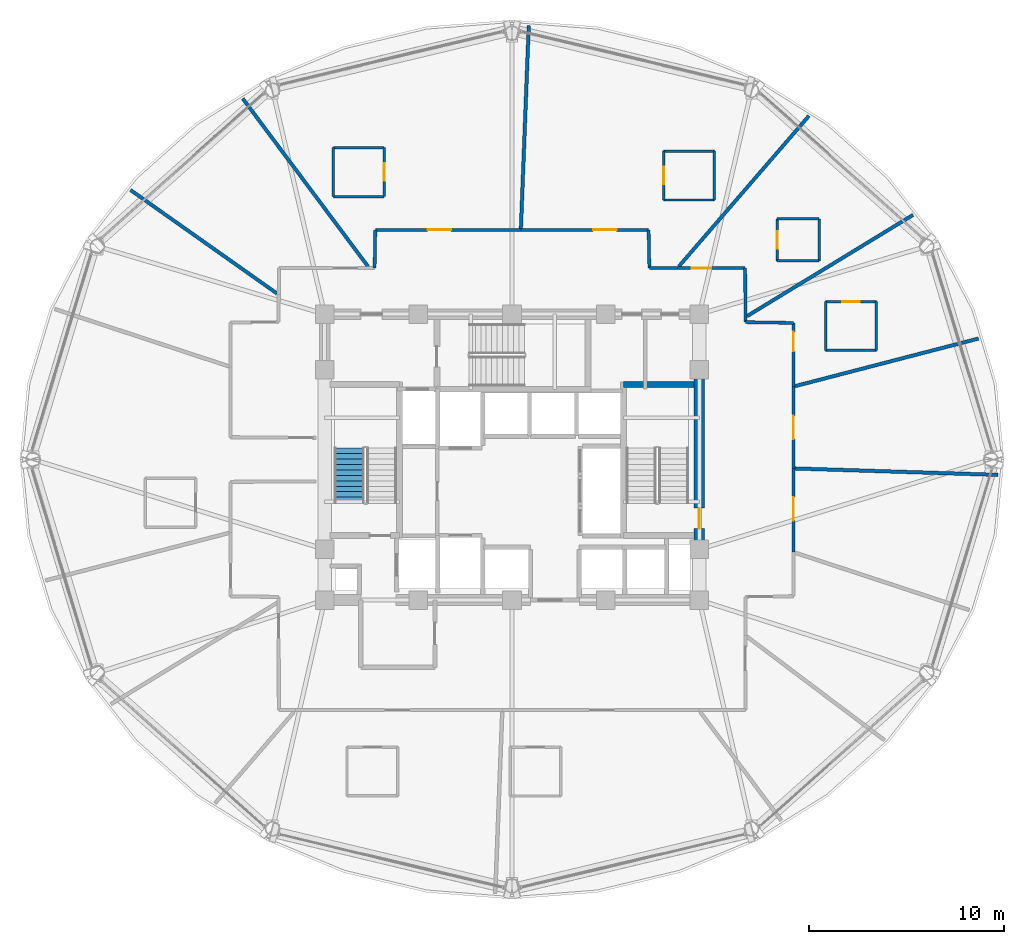
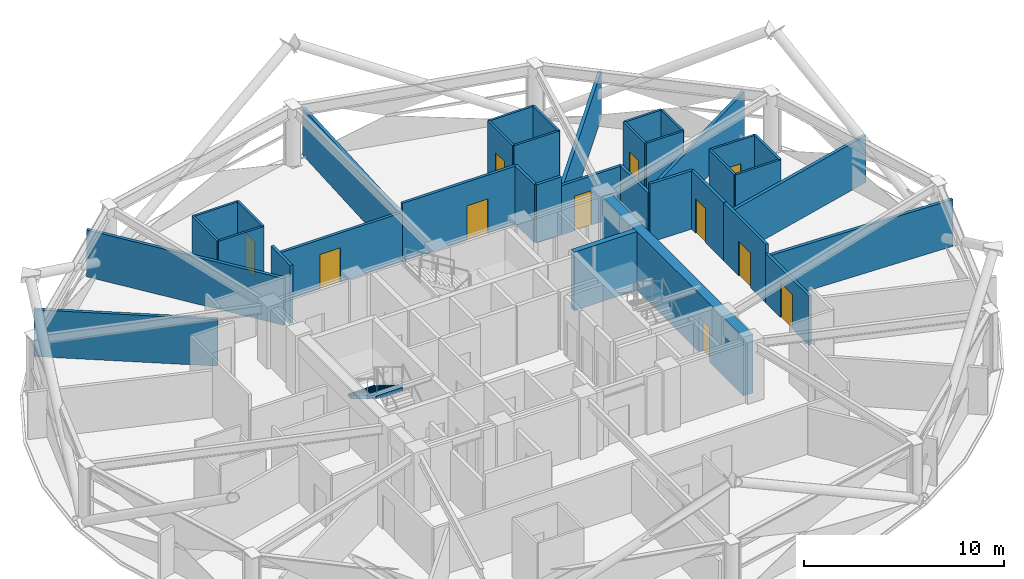
# One storey, part 24 of 29: 36 walls, 11 doors, 1 stair flight, 11 openings, 1 element without a shape of its own.
"""IFC4 building model written with IfcOpenShell, lengths in metres."""

from ifc_helpers import new_model, si_unit, direction, frame, frame_2d, origin, place, context, subcontext, project, spatial, polyline, rectangle, outline, extrude, material, layer, layer_set, type_object, element, fill, aggregate, save


model = new_model("IFC4")

# Units and contexts
model_context = context("Model", 3, precision=1e-05, world=origin(), true_north=direction((0.0, 1.0)))
body_context = subcontext(model_context, "Body", "Model", "MODEL_VIEW")
ifc_project = project(units=[si_unit("LENGTHUNIT", "METRE"), si_unit("AREAUNIT", "SQUARE_METRE"), si_unit("VOLUMEUNIT", "CUBIC_METRE"), si_unit("PLANEANGLEUNIT", "RADIAN"), si_unit("MASSUNIT", "GRAM", prefix="KILO")], contexts=[model_context])

# Site, building, storey
site_placement = place(None, origin())
site = spatial("IfcSite", under=ifc_project, at=site_placement, CompositionType="ELEMENT")
building_placement = place(site_placement, origin())
building = spatial("IfcBuilding", under=site, at=building_placement, Name="Vantalir Tower", CompositionType="ELEMENT")
storey_placement = place(building_placement, frame((0.0, 0.0, 164.699951171875)))
storey = spatial("IfcBuildingStorey", under=building, at=storey_placement, Name="L41", CompositionType="ELEMENT", Elevation=164.699951171875)

# Wall
ifc_material_1 = material(Name="Moisture-resistant en-suite partition", Category="gypsum")
ifc_layer_1 = layer(ifc_material_1, 0.125)
ifc_layer_set_1 = layer_set([ifc_layer_1], Name="Moisture-resistant en-suite partition")
wall_type_1 = type_object("IfcWallType", Name="WL-BATH-125", PredefinedType="PARTITIONING", material=ifc_layer_set_1)
wall_1_placement = place(storey_placement, frame((47.572998046875, 30.595947265625, 0.0), z_axis=(0.0, 0.0, 1.0), x_axis=(1.0, 0.0, 0.0)))
element("IfcWall", 1, at=wall_1_placement, inside=storey, type_object=wall_type_1, Name="L41 En-suite 01 South Wall", PredefinedType="PARTITIONING", context=body_context, shape_type="SweptSolid", body=[
    extrude(rectangle(XDim=2.60009765625, YDim=0.125, at=frame_2d((1.300048828125, 0.0))), origin(), (0.0, 0.0, 1.0), 3.550048828125),
])

# Wall, opening, door
wall_2_placement = place(storey_placement, frame((47.572998046875, 33.095947265625, 0.0), z_axis=(0.0, 0.0, 1.0), x_axis=(1.0, 0.0, 0.0)))
wall_2 = element("IfcWall", 2, at=wall_2_placement, inside=storey, type_object=wall_type_1, Name="L41 En-suite 01 North Wall", PredefinedType="PARTITIONING", context=body_context, shape_type="SweptSolid", body=[
    extrude(rectangle(XDim=2.60009765625, YDim=0.125, at=frame_2d((1.300048828125, 0.0))), origin(), (0.0, 0.0, 1.0), 3.550048828125),
])
opening_1_placement = place(wall_2_placement, frame((0.85009765625, 0.0, 0.0)))
opening_1 = element("IfcOpeningElement", 3, at=opening_1_placement, cuts=wall_2, Name="Opening D-WC", PredefinedType="OPENING", context=body_context, shape_type="SweptSolid", body=[
    extrude(rectangle(XDim=0.89990234375, YDim=2.10009765625, at=frame_2d((0.449951171875, 1.050048828125))), frame((0.0, 0.072509765625, 0.0), z_axis=(0.0, -1.0, 0.0), x_axis=(1.0, 0.0, 0.0)), (0.0, 0.0, 1.0), 0.14501953125),
])
ifc_material_2 = material(Name="Moisture-resistant hardwood door", Category="wood")
door_type_1 = type_object("IfcDoorType", Name="DR-ENSUITE-900", OperationType="NOTDEFINED", PredefinedType="DOOR", material=ifc_material_2)
door_1_placement = place(opening_1_placement, frame((0.89990234375, 0.0, 0.0), z_axis=(0.0, 0.0, 1.0), x_axis=(-1.0, 0.0, 0.0)))
door_1 = element("IfcDoor", 4, at=door_1_placement, inside=storey, type_object=door_type_1, Name="L41 En-suite 01 Door", OperationType="SINGLE_SWING_LEFT", OverallHeight=2.10009765625, OverallWidth=0.89990234375, PredefinedType="DOOR", context=body_context, shape_type="SweptSolid", body=[
    extrude(rectangle(XDim=0.89990234375, YDim=2.10009765625, at=frame_2d((0.449951171875, 1.050048828125))), frame((0.0, 0.02490234375, 0.0), z_axis=(0.0, -1.0, 0.0), x_axis=(1.0, 0.0, 0.0)), (0.0, 0.0, 1.0), 0.050048828125),
])
fill(opening_1, door_1)

# Walls
for number, where, z_axis, x_axis, name in (
    (5, (47.572998046875, 30.595947265625, 0.0), (0.0, 0.0, 1.0), (0.0, 1.0, 0.0), "L41 En-suite 01 West Wall"),
    (6, (50.173095703125, 30.595947265625, 0.0), (0.0, 0.0, 1.0), (0.0, 1.0, 0.0), "L41 En-suite 01 East Wall"),
):
    element("IfcWall", number, at=place(storey_placement, frame(where, z_axis=z_axis, x_axis=x_axis)), inside=storey, type_object=wall_type_1, Name=name, PredefinedType="PARTITIONING", context=body_context, shape_type="SweptSolid", body=[
        extrude(rectangle(XDim=2.5, YDim=0.125, at=frame_2d((1.25, 0.0))), origin(), (0.0, 0.0, 1.0), 3.550048828125),
    ])
for number, where, z_axis, x_axis, name in (
    (7, (45.0830078125, 35.18310546875, 0.0), (0.0, 0.0, 1.0), (1.0, 0.0, 0.0), "L41 En-suite 02 South Wall"),
    (8, (45.0830078125, 37.3330078125, 0.0), (0.0, 0.0, 1.0), (1.0, 0.0, 0.0), "L41 En-suite 02 North Wall"),
):
    element("IfcWall", number, at=place(storey_placement, frame(where, z_axis=z_axis, x_axis=x_axis)), inside=storey, type_object=wall_type_1, Name=name, PredefinedType="PARTITIONING", context=body_context, shape_type="SweptSolid", body=[
        extrude(rectangle(XDim=2.14990234375, YDim=0.125, at=frame_2d((1.074951171875, 0.0))), origin(), (0.0, 0.0, 1.0), 3.550048828125),
    ])

# Wall, opening, door
wall_3_placement = place(storey_placement, frame((45.0830078125, 35.18310546875, 0.0), z_axis=(0.0, 0.0, 1.0), x_axis=(0.0, 1.0, 0.0)))
wall_3 = element("IfcWall", 9, at=wall_3_placement, inside=storey, type_object=wall_type_1, Name="L41 En-suite 02 West Wall", PredefinedType="PARTITIONING", context=body_context, shape_type="SweptSolid", body=[
    extrude(rectangle(XDim=2.14990234375, YDim=0.125, at=frame_2d((1.074951171875, 0.0))), origin(), (0.0, 0.0, 1.0), 3.550048828125),
])
opening_2_placement = place(wall_3_placement, frame((0.625, 0.0, 0.0)))
opening_2 = element("IfcOpeningElement", 10, at=opening_2_placement, cuts=wall_3, Name="Opening D-WC", PredefinedType="OPENING", context=body_context, shape_type="SweptSolid", body=[
    extrude(rectangle(XDim=0.89990234375, YDim=2.10009765625, at=frame_2d((0.449951171875, 1.050048828125))), frame((0.0, 0.072509765625, 0.0), z_axis=(0.0, -1.0, 0.0), x_axis=(1.0, 0.0, 0.0)), (0.0, 0.0, 1.0), 0.14501953125),
])
door_2_placement = place(opening_2_placement, frame((0.89990234375, 0.0, 0.0), z_axis=(0.0, 0.0, 1.0), x_axis=(-1.0, 0.0, 0.0)))
door_2 = element("IfcDoor", 11, at=door_2_placement, inside=storey, type_object=door_type_1, Name="L41 En-suite 02 Door", OperationType="SINGLE_SWING_RIGHT", OverallHeight=2.10009765625, OverallWidth=0.89990234375, PredefinedType="DOOR", context=body_context, shape_type="SweptSolid", body=[
    extrude(rectangle(XDim=0.89990234375, YDim=2.10009765625, at=frame_2d((0.449951171875, 1.050048828125))), frame((0.0, 0.02490234375, 0.0), z_axis=(0.0, -1.0, 0.0), x_axis=(1.0, 0.0, 0.0)), (0.0, 0.0, 1.0), 0.050048828125),
])
fill(opening_2, door_2)

# Walls
wall_4_placement = place(storey_placement, frame((47.23291015625, 35.18310546875, 0.0), z_axis=(0.0, 0.0, 1.0), x_axis=(0.0, 1.0, 0.0)))
element("IfcWall", 12, at=wall_4_placement, inside=storey, type_object=wall_type_1, Name="L41 En-suite 02 East Wall", PredefinedType="PARTITIONING", context=body_context, shape_type="SweptSolid", body=[
    extrude(rectangle(XDim=2.14990234375, YDim=0.125, at=frame_2d((1.074951171875, 0.0))), origin(), (0.0, 0.0, 1.0), 3.550048828125),
])
for number, where, z_axis, x_axis, name in (
    (13, (39.27001953125, 38.298095703125, 0.0), (0.0, 0.0, 1.0), (1.0, 0.0, 0.0), "L41 En-suite 03 South Wall"),
    (14, (39.27001953125, 40.798095703125, 0.0), (0.0, 0.0, 1.0), (1.0, 0.0, 0.0), "L41 En-suite 03 North Wall"),
):
    element("IfcWall", number, at=place(storey_placement, frame(where, z_axis=z_axis, x_axis=x_axis)), inside=storey, type_object=wall_type_1, Name=name, PredefinedType="PARTITIONING", context=body_context, shape_type="SweptSolid", body=[
        extrude(rectangle(XDim=2.60009765625, YDim=0.125, at=frame_2d((1.300048828125, 0.0))), origin(), (0.0, 0.0, 1.0), 3.550048828125),
    ])

# Wall, opening, door
wall_5_placement = place(storey_placement, frame((39.27001953125, 38.298095703125, 0.0), z_axis=(0.0, 0.0, 1.0), x_axis=(0.0, 1.0, 0.0)))
wall_5 = element("IfcWall", 15, at=wall_5_placement, inside=storey, type_object=wall_type_1, Name="L41 En-suite 03 West Wall", PredefinedType="PARTITIONING", context=body_context, shape_type="SweptSolid", body=[
    extrude(rectangle(XDim=2.5, YDim=0.125, at=frame_2d((1.25, 0.0))), origin(), (0.0, 0.0, 1.0), 3.550048828125),
])
opening_3_placement = place(wall_5_placement, frame((0.800048828125, 0.0, 0.0)))
opening_3 = element("IfcOpeningElement", 16, at=opening_3_placement, cuts=wall_5, Name="Opening D-WC", PredefinedType="OPENING", context=body_context, shape_type="SweptSolid", body=[
    extrude(rectangle(XDim=0.89990234375, YDim=2.10009765625, at=frame_2d((0.449951171875, 1.050048828125))), frame((0.0, 0.072509765625, 0.0), z_axis=(0.0, -1.0, 0.0), x_axis=(1.0, 0.0, 0.0)), (0.0, 0.0, 1.0), 0.14501953125),
])
door_3_placement = place(opening_3_placement, frame((0.89990234375, 0.0, 0.0), z_axis=(0.0, 0.0, 1.0), x_axis=(-1.0, 0.0, 0.0)))
door_3 = element("IfcDoor", 17, at=door_3_placement, inside=storey, type_object=door_type_1, Name="L41 En-suite 03 Door", OperationType="SINGLE_SWING_LEFT", OverallHeight=2.10009765625, OverallWidth=0.89990234375, PredefinedType="DOOR", context=body_context, shape_type="SweptSolid", body=[
    extrude(rectangle(XDim=0.89990234375, YDim=2.10009765625, at=frame_2d((0.449951171875, 1.050048828125))), frame((0.0, 0.02490234375, 0.0), z_axis=(0.0, -1.0, 0.0), x_axis=(1.0, 0.0, 0.0)), (0.0, 0.0, 1.0), 0.050048828125),
])
fill(opening_3, door_3)

# Walls
wall_6_placement = place(storey_placement, frame((41.8701171875, 38.298095703125, 0.0), z_axis=(0.0, 0.0, 1.0), x_axis=(0.0, 1.0, 0.0)))
element("IfcWall", 18, at=wall_6_placement, inside=storey, type_object=wall_type_1, Name="L41 En-suite 03 East Wall", PredefinedType="PARTITIONING", context=body_context, shape_type="SweptSolid", body=[
    extrude(rectangle(XDim=2.5, YDim=0.125, at=frame_2d((1.25, 0.0))), origin(), (0.0, 0.0, 1.0), 3.550048828125),
])
for number, where, z_axis, x_axis, name in (
    (19, (22.34912109375, 38.47705078125, 0.0), (0.0, 0.0, 1.0), (1.0, 0.0, 0.0), "L41 En-suite 04 South Wall"),
    (20, (22.34912109375, 40.97705078125, 0.0), (0.0, 0.0, 1.0), (1.0, 0.0, 0.0), "L41 En-suite 04 North Wall"),
):
    element("IfcWall", number, at=place(storey_placement, frame(where, z_axis=z_axis, x_axis=x_axis)), inside=storey, type_object=wall_type_1, Name=name, PredefinedType="PARTITIONING", context=body_context, shape_type="SweptSolid", body=[
        extrude(rectangle(XDim=2.599853515625, YDim=0.125, at=frame_2d((1.2998046875, 0.0))), origin(), (0.0, 0.0, 1.0), 3.550048828125),
    ])
wall_7_placement = place(storey_placement, frame((22.34912109375, 38.47705078125, 0.0), z_axis=(0.0, 0.0, 1.0), x_axis=(0.0, 1.0, 0.0)))
element("IfcWall", 21, at=wall_7_placement, inside=storey, type_object=wall_type_1, Name="L41 En-suite 04 West Wall", PredefinedType="PARTITIONING", context=body_context, shape_type="SweptSolid", body=[
    extrude(rectangle(XDim=2.5, YDim=0.125, at=frame_2d((1.25, 0.0))), origin(), (0.0, 0.0, 1.0), 3.550048828125),
])

# Wall, opening, door
wall_8_placement = place(storey_placement, frame((24.948974609375, 38.47705078125, 0.0), z_axis=(0.0, 0.0, 1.0), x_axis=(0.0, 1.0, 0.0)))
wall_8 = element("IfcWall", 22, at=wall_8_placement, inside=storey, type_object=wall_type_1, Name="L41 En-suite 04 East Wall", PredefinedType="PARTITIONING", context=body_context, shape_type="SweptSolid", body=[
    extrude(rectangle(XDim=2.5, YDim=0.125, at=frame_2d((1.25, 0.0))), origin(), (0.0, 0.0, 1.0), 3.550048828125),
])
opening_4_placement = place(wall_8_placement, frame((0.800048828125, 0.0, 0.0)))
opening_4 = element("IfcOpeningElement", 23, at=opening_4_placement, cuts=wall_8, Name="Opening D-WC", PredefinedType="OPENING", context=body_context, shape_type="SweptSolid", body=[
    extrude(rectangle(XDim=0.89990234375, YDim=2.10009765625, at=frame_2d((0.449951171875, 1.050048828125))), frame((0.0, 0.072509765625, 0.0), z_axis=(0.0, -1.0, 0.0), x_axis=(1.0, 0.0, 0.0)), (0.0, 0.0, 1.0), 0.14501953125),
])
door_4_placement = place(opening_4_placement, origin())
door_4 = element("IfcDoor", 24, at=door_4_placement, inside=storey, type_object=door_type_1, Name="L41 En-suite 04 Door", OperationType="SINGLE_SWING_RIGHT", OverallHeight=2.10009765625, OverallWidth=0.89990234375, PredefinedType="DOOR", context=body_context, shape_type="SweptSolid", body=[
    extrude(rectangle(XDim=0.89990234375, YDim=2.10009765625, at=frame_2d((0.449951171875, 1.050048828125))), frame((0.0, 0.02490234375, 0.0), z_axis=(0.0, -1.0, 0.0), x_axis=(1.0, 0.0, 0.0)), (0.0, 0.0, 1.0), 0.050048828125),
])
fill(opening_4, door_4)

ifc_material_3 = material(Name="Concrete C60/75", Category="concrete")
ifc_layer_2 = layer(ifc_material_3, 0.550048828125)
ifc_layer_set_2 = layer_set([ifc_layer_2], Name="Concrete C60/75")
wall_type_2 = type_object("IfcWallType", Name="WL-CORE-550", PredefinedType="SHEAR", material=ifc_layer_set_2)
wall_9_placement = place(storey_placement, frame((41.10009765625, 18.074951171875, 0.0), z_axis=(0.0, 0.0, 1.0), x_axis=(0.0, 1.0, 0.0)))
wall_9 = element("IfcWall", 25, at=wall_9_placement, inside=storey, type_object=wall_type_2, Name="L41 Core Shear Wall East", PredefinedType="SHEAR", context=body_context, shape_type="SweptSolid", body=[
    extrude(rectangle(XDim=14.10009765625, YDim=0.550048828125, at=frame_2d((7.050048828125, 0.0))), origin(), (0.0, 0.0, 1.0), 3.570068359375),
])
opening_5_placement = place(wall_9_placement, frame((3.385009765625, 0.0, 0.0)))
opening_5 = element("IfcOpeningElement", 26, at=opening_5_placement, cuts=wall_9, Name="Opening D-ST", PredefinedType="OPENING", context=body_context, shape_type="SweptSolid", body=[
    extrude(rectangle(XDim=1.050048828125, YDim=2.10009765625, at=frame_2d((0.52490234375, 1.050048828125))), frame((0.0, 0.284912109375, 0.0), z_axis=(0.0, -1.0, 0.0), x_axis=(1.0, 0.0, 0.0)), (0.0, 0.0, 1.0), 0.570068359375),
])
ifc_material_4 = material(Name="Fire-rated steel door leaf", Category="steel")
door_type_2 = type_object("IfcDoorType", Name="DR-FIRE-STAIR-1050", OperationType="NOTDEFINED", PredefinedType="DOOR", material=ifc_material_4)
door_5_placement = place(opening_5_placement, origin())
door_5 = element("IfcDoor", 27, at=door_5_placement, inside=storey, type_object=door_type_2, Name="L41 Exit Stair ST2 Fire Door", OperationType="SINGLE_SWING_LEFT", OverallHeight=2.10009765625, OverallWidth=1.050048828125, PredefinedType="DOOR", context=body_context, shape_type="SweptSolid", body=[
    extrude(rectangle(XDim=1.050048828125, YDim=2.10009765625, at=frame_2d((0.52490234375, 1.050048828125))), frame((0.0, 0.02490234375, 0.0), z_axis=(0.0, -1.0, 0.0), x_axis=(1.0, 0.0, 0.0)), (0.0, 0.0, 1.0), 0.050048828125),
])
fill(opening_5, door_5)

# Wall
ifc_material_5 = material(Name="Fire-rated hotel corridor acoustic partition", Category="gypsum")
ifc_layer_3 = layer(ifc_material_5, 0.159912109375)
ifc_layer_set_3 = layer_set([ifc_layer_3], Name="Fire-rated hotel corridor acoustic partition")
wall_type_3 = type_object("IfcWallType", Name="WL-CORR-160", PredefinedType="PARTITIONING", material=ifc_layer_set_3)
wall_10_placement = place(storey_placement, frame((24.4599609375, 34.81494140625, 0.0), z_axis=(0.0, 0.0, 1.0), x_axis=(0.018526930954, 0.999828361685, 0.0)))
element("IfcWall", 28, at=wall_10_placement, inside=storey, type_object=wall_type_3, Name="L41 Corridor Partition 08", PredefinedType="PARTITIONING", context=body_context, shape_type="SweptSolid", body=[
    extrude(rectangle(XDim=1.9501953125, YDim=0.159912109375, at=frame_2d((0.97509765625, 0.0))), origin(), (0.0, 0.0, 1.0), 3.550048828125),
])

# Wall, opening, door
wall_11_placement = place(storey_placement, frame((24.49609375, 36.764892578125, 0.0), z_axis=(0.0, 0.0, 1.0), x_axis=(1.0, 0.0, 0.0)))
wall_11 = element("IfcWall", 29, at=wall_11_placement, inside=storey, type_object=wall_type_3, Name="L41 Corridor Partition 09", PredefinedType="PARTITIONING", context=body_context, shape_type="SweptSolid", body=[
    extrude(rectangle(XDim=7.4580078125, YDim=0.159912109375, at=frame_2d((3.72900390625, 0.0))), origin(), (0.0, 0.0, 1.0), 3.006103515625),
])
opening_6_placement = place(wall_11_placement, frame((2.68408203125, 0.0, 0.0)))
opening_6 = element("IfcOpeningElement", 30, at=opening_6_placement, cuts=wall_11, Name="Opening D-STE", PredefinedType="OPENING", context=body_context, shape_type="SweptSolid", body=[
    extrude(rectangle(XDim=1.199951171875, YDim=2.10009765625, at=frame_2d((0.60009765625, 1.050048828125))), frame((0.0, 0.08984375, 0.0), z_axis=(0.0, -1.0, 0.0), x_axis=(1.0, 0.0, 0.0)), (0.0, 0.0, 1.0), 0.179931640625),
])
ifc_material_6 = material(Name="Solid-core teak veneer suite entrance door", Category="wood")
door_type_3 = type_object("IfcDoorType", Name="DR-SUITE-ENTRY-1200", OperationType="NOTDEFINED", PredefinedType="DOOR", material=ifc_material_6)
door_6_placement = place(opening_6_placement, origin())
door_6 = element("IfcDoor", 31, at=door_6_placement, inside=storey, type_object=door_type_3, Name="L41 Corner Panorama Hotel Suite 04 Door", OperationType="SINGLE_SWING_LEFT", OverallHeight=2.10009765625, OverallWidth=1.199951171875, PredefinedType="DOOR", context=body_context, shape_type="SweptSolid", body=[
    extrude(rectangle(XDim=1.199951171875, YDim=2.10009765625, at=frame_2d((0.60009765625, 1.050048828125))), frame((0.0, 0.02490234375, 0.0), z_axis=(0.0, -1.0, 0.0), x_axis=(1.0, 0.0, 0.0)), (0.0, 0.0, 1.0), 0.050048828125),
])
fill(opening_6, door_6)

wall_12_placement = place(storey_placement, frame((31.9541015625, 36.764892578125, 0.0), z_axis=(0.0, 0.0, 1.0), x_axis=(1.0, 0.0, 0.0)))
wall_12 = element("IfcWall", 32, at=wall_12_placement, inside=storey, type_object=wall_type_3, Name="L41 Corridor Partition 10", PredefinedType="PARTITIONING", context=body_context, shape_type="SweptSolid", body=[
    extrude(rectangle(XDim=6.5458984375, YDim=0.159912109375, at=frame_2d((3.27294921875, 0.0))), origin(), (0.0, 0.0, 1.0), 3.550048828125),
])
opening_7_placement = place(wall_12_placement, frame((3.7080078125, 0.0, 0.0)))
opening_7 = element("IfcOpeningElement", 33, at=opening_7_placement, cuts=wall_12, Name="Opening D-STE", PredefinedType="OPENING", context=body_context, shape_type="SweptSolid", body=[
    extrude(rectangle(XDim=1.199951171875, YDim=2.10009765625, at=frame_2d((0.60009765625, 1.050048828125))), frame((0.0, 0.08984375, 0.0), z_axis=(0.0, -1.0, 0.0), x_axis=(1.0, 0.0, 0.0)), (0.0, 0.0, 1.0), 0.179931640625),
])
door_7_placement = place(opening_7_placement, origin())
door_7 = element("IfcDoor", 34, at=door_7_placement, inside=storey, type_object=door_type_3, Name="L41 Executive Club Hotel Suite 03 Door", OperationType="SINGLE_SWING_RIGHT", OverallHeight=2.10009765625, OverallWidth=1.199951171875, PredefinedType="DOOR", context=body_context, shape_type="SweptSolid", body=[
    extrude(rectangle(XDim=1.199951171875, YDim=2.10009765625, at=frame_2d((0.60009765625, 1.050048828125))), frame((0.0, 0.02490234375, 0.0), z_axis=(0.0, -1.0, 0.0), x_axis=(1.0, 0.0, 0.0)), (0.0, 0.0, 1.0), 0.050048828125),
])
fill(opening_7, door_7)

# Walls
wall_13_placement = place(storey_placement, frame((38.5, 36.764892578125, 0.0), z_axis=(0.0, 0.0, 1.0), x_axis=(0.020529039459, -0.999789257063, 0.0)))
element("IfcWall", 35, at=wall_13_placement, inside=storey, type_object=wall_type_3, Name="L41 Corridor Partition 11", PredefinedType="PARTITIONING", context=body_context, shape_type="SweptSolid", body=[
    extrude(rectangle(XDim=1.950439453125, YDim=0.159912109375, at=frame_2d((0.97509765625, 0.0))), origin(), (0.0, 0.0, 1.0), 3.550048828125),
])
wall_14_placement = place(storey_placement, frame((38.5400390625, 34.81494140625, 0.0), z_axis=(0.0, 0.0, 1.0), x_axis=(0.999999077601, -0.001358233043, 0.0)))
element("IfcWall", 36, at=wall_14_placement, inside=storey, type_object=wall_type_3, Name="L41 Corridor Partition 12", PredefinedType="PARTITIONING", context=body_context, shape_type="SweptSolid", body=[
    extrude(rectangle(XDim=1.43798828125, YDim=0.159912109375, at=frame_2d((0.718994140625, 0.0))), origin(), (0.0, 0.0, 1.0), 3.550048828125),
])

# Wall, opening, door
wall_15_placement = place(storey_placement, frame((39.97802734375, 34.81298828125, 0.0), z_axis=(0.0, 0.0, 1.0), x_axis=(0.999999009391, -0.001407557195, 0.0)))
wall_15 = element("IfcWall", 37, at=wall_15_placement, inside=storey, type_object=wall_type_3, Name="L41 Corridor Partition 13", PredefinedType="PARTITIONING", context=body_context, shape_type="SweptSolid", body=[
    extrude(rectangle(XDim=3.468994140625, YDim=0.159912109375, at=frame_2d((1.734375, 0.0))), origin(), (0.0, 0.0, 1.0), 3.006103515625),
])
opening_8_placement = place(wall_15_placement, frame((0.73291015625, 0.0, 0.0)))
opening_8 = element("IfcOpeningElement", 38, at=opening_8_placement, cuts=wall_15, Name="Opening D-GUEST", PredefinedType="OPENING", context=body_context, shape_type="SweptSolid", body=[
    extrude(rectangle(XDim=1.0, YDim=2.10009765625, at=frame_2d((0.5, 1.050048828125))), frame((0.0, 0.08984375, 0.0), z_axis=(0.0, -1.0, 0.0), x_axis=(1.0, 0.0, 0.0)), (0.0, 0.0, 1.0), 0.179931640625),
])
ifc_material_7 = material(Name="Solid-core teak veneer acoustic fire door", Category="wood")
door_type_4 = type_object("IfcDoorType", Name="DR-GUEST-ENTRY-1000", OperationType="NOTDEFINED", PredefinedType="DOOR", material=ifc_material_7)
door_8_placement = place(opening_8_placement, origin())
door_8 = element("IfcDoor", 39, at=door_8_placement, inside=storey, type_object=door_type_4, Name="L41 Deluxe King Hotel Room 02 Door", OperationType="SINGLE_SWING_LEFT", OverallHeight=2.10009765625, OverallWidth=1.0, PredefinedType="DOOR", context=body_context, shape_type="SweptSolid", body=[
    extrude(rectangle(XDim=1.0, YDim=2.10009765625, at=frame_2d((0.5, 1.050048828125))), frame((0.0, 0.02490234375, 0.0), z_axis=(0.0, -1.0, 0.0), x_axis=(1.0, 0.0, 0.0)), (0.0, 0.0, 1.0), 0.050048828125),
])
fill(opening_8, door_8)

# Walls
wall_16_placement = place(storey_placement, frame((43.447021484375, 34.80810546875, 0.0), z_axis=(0.0, 0.0, 1.0), x_axis=(0.006526585281, -0.999978701615, 0.0)))
element("IfcWall", 40, at=wall_16_placement, inside=storey, type_object=wall_type_3, Name="L41 Corridor Partition 14", PredefinedType="PARTITIONING", context=body_context, shape_type="SweptSolid", body=[
    extrude(rectangle(XDim=2.76806640625, YDim=0.159912109375, at=frame_2d((1.384033203125, 0.0))), origin(), (0.0, 0.0, 1.0), 3.006103515625),
])
wall_17_placement = place(storey_placement, frame((43.465087890625, 32.0400390625, 0.0), z_axis=(0.0, 0.0, 1.0), x_axis=(0.999867567339, -0.016274144605, 0.0)))
element("IfcWall", 41, at=wall_17_placement, inside=storey, type_object=wall_type_3, Name="L41 Corridor Partition 15", PredefinedType="PARTITIONING", context=body_context, shape_type="SweptSolid", body=[
    extrude(rectangle(XDim=2.460205078125, YDim=0.159912109375, at=frame_2d((1.22998046875, 0.0))), origin(), (0.0, 0.0, 1.0), 3.550048828125),
])

# Wall, opening, door
wall_18_placement = place(storey_placement, frame((45.925048828125, 32.0, 0.0), z_axis=(0.0, 0.0, 1.0), x_axis=(0.0, -1.0, 0.0)))
wall_18 = element("IfcWall", 42, at=wall_18_placement, inside=storey, type_object=wall_type_3, Name="L41 Corridor Partition 16", PredefinedType="PARTITIONING", context=body_context, shape_type="SweptSolid", body=[
    extrude(rectangle(XDim=3.259033203125, YDim=0.159912109375, at=frame_2d((1.62939453125, 0.0))), origin(), (0.0, 0.0, 1.0), 3.550048828125),
])
opening_9_placement = place(wall_18_placement, frame((0.4580078125, 0.0, 0.0)))
opening_9 = element("IfcOpeningElement", 43, at=opening_9_placement, cuts=wall_18, Name="Opening D-GUEST", PredefinedType="OPENING", context=body_context, shape_type="SweptSolid", body=[
    extrude(rectangle(XDim=1.0, YDim=2.10009765625, at=frame_2d((0.5, 1.050048828125))), frame((0.0, 0.08984375, 0.0), z_axis=(0.0, -1.0, 0.0), x_axis=(1.0, 0.0, 0.0)), (0.0, 0.0, 1.0), 0.179931640625),
])
door_9_placement = place(opening_9_placement, origin())
door_9 = element("IfcDoor", 44, at=door_9_placement, inside=storey, type_object=door_type_4, Name="L41 Twin Queen Hotel Room 01 Door", OperationType="SINGLE_SWING_RIGHT", OverallHeight=2.10009765625, OverallWidth=1.0, PredefinedType="DOOR", context=body_context, shape_type="SweptSolid", body=[
    extrude(rectangle(XDim=1.0, YDim=2.10009765625, at=frame_2d((0.5, 1.050048828125))), frame((0.0, 0.02490234375, 0.0), z_axis=(0.0, -1.0, 0.0), x_axis=(1.0, 0.0, 0.0)), (0.0, 0.0, 1.0), 0.050048828125),
])
fill(opening_9, door_9)

wall_19_placement = place(storey_placement, frame((45.925048828125, 28.740966796875, 0.0), z_axis=(0.0, 0.0, 1.0), x_axis=(0.0, -1.0, 0.0)))
wall_19 = element("IfcWall", 45, at=wall_19_placement, inside=storey, type_object=wall_type_3, Name="L41 Corridor Partition 17", PredefinedType="PARTITIONING", context=body_context, shape_type="SweptSolid", body=[
    extrude(rectangle(XDim=4.196044921875, YDim=0.159912109375, at=frame_2d((2.09814453125, 0.0))), origin(), (0.0, 0.0, 1.0), 3.550048828125),
])
opening_10_placement = place(wall_19_placement, frame((1.498046875, 0.0, 0.0)))
opening_10 = element("IfcOpeningElement", 46, at=opening_10_placement, cuts=wall_19, Name="Opening D-STE", PredefinedType="OPENING", context=body_context, shape_type="SweptSolid", body=[
    extrude(rectangle(XDim=1.199951171875, YDim=2.10009765625, at=frame_2d((0.60009765625, 1.050048828125))), frame((0.0, 0.08984375, 0.0), z_axis=(0.0, -1.0, 0.0), x_axis=(1.0, 0.0, 0.0)), (0.0, 0.0, 1.0), 0.179931640625),
])
door_10_placement = place(opening_10_placement, origin())
door_10 = element("IfcDoor", 47, at=door_10_placement, inside=storey, type_object=door_type_3, Name="L41 Executive Sky Boardroom 15 Door", OperationType="SINGLE_SWING_RIGHT", OverallHeight=2.10009765625, OverallWidth=1.199951171875, PredefinedType="DOOR", context=body_context, shape_type="SweptSolid", body=[
    extrude(rectangle(XDim=1.199951171875, YDim=2.10009765625, at=frame_2d((0.60009765625, 1.050048828125))), frame((0.0, 0.02490234375, 0.0), z_axis=(0.0, -1.0, 0.0), x_axis=(1.0, 0.0, 0.0)), (0.0, 0.0, 1.0), 0.050048828125),
])
fill(opening_10, door_10)

wall_20_placement = place(storey_placement, frame((45.925048828125, 24.544921875, 0.0), z_axis=(0.0, 0.0, 1.0), x_axis=(0.0, -1.0, 0.0)))
wall_20 = element("IfcWall", 48, at=wall_20_placement, inside=storey, type_object=wall_type_3, Name="L41 Corridor Partition 18", PredefinedType="PARTITIONING", context=body_context, shape_type="SweptSolid", body=[
    extrude(rectangle(XDim=4.29296875, YDim=0.159912109375, at=frame_2d((2.146484375, 0.0))), origin(), (0.0, 0.0, 1.0), 3.006103515625),
])
opening_11_placement = place(wall_20_placement, frame((1.47412109375, 0.0, 0.0)))
opening_11 = element("IfcOpeningElement", 49, at=opening_11_placement, cuts=wall_20, Name="Opening D-STE", PredefinedType="OPENING", context=body_context, shape_type="SweptSolid", body=[
    extrude(rectangle(XDim=1.199951171875, YDim=2.10009765625, at=frame_2d((0.60009765625, 1.050048828125))), frame((0.0, 0.08984375, 0.0), z_axis=(0.0, -1.0, 0.0), x_axis=(1.0, 0.0, 0.0)), (0.0, 0.0, 1.0), 0.179931640625),
])
door_11_placement = place(opening_11_placement, origin())
door_11 = element("IfcDoor", 50, at=door_11_placement, inside=storey, type_object=door_type_3, Name="L41 Club Reading Lounge 14 Door", OperationType="SINGLE_SWING_LEFT", OverallHeight=2.10009765625, OverallWidth=1.199951171875, PredefinedType="DOOR", context=body_context, shape_type="SweptSolid", body=[
    extrude(rectangle(XDim=1.199951171875, YDim=2.10009765625, at=frame_2d((0.60009765625, 1.050048828125))), frame((0.0, 0.02490234375, 0.0), z_axis=(0.0, -1.0, 0.0), x_axis=(1.0, 0.0, 0.0)), (0.0, 0.0, 1.0), 0.050048828125),
])
fill(opening_11, door_11)

# Walls
ifc_material_8 = material(Name="Twin-stud acoustic fire-rated gypsum partition", Category="gypsum")
ifc_layer_4 = layer(ifc_material_8, 0.179931640625)
ifc_layer_set_4 = layer_set([ifc_layer_4], Name="Twin-stud acoustic fire-rated gypsum partition")
wall_type_4 = type_object("IfcWallType", Name="WL-GUEST-180", PredefinedType="PARTITIONING", material=ifc_layer_set_4)
wall_21_placement = place(storey_placement, frame((46.0, 28.760009765625, 0.0), z_axis=(0.0, 0.0, 1.0), x_axis=(0.96796954255, 0.251067649639, 0.0)))
element("IfcWall", 51, at=wall_21_placement, inside=storey, type_object=wall_type_4, Name="L41 Radial Suite Partition 01", PredefinedType="PARTITIONING", context=body_context, shape_type="SweptSolid", body=[
    extrude(rectangle(XDim=9.71826171875, YDim=0.179931640625, at=frame_2d((4.859130859375, 0.0))), origin(), (0.0, 0.0, 1.0), 2.85205078125),
])
wall_22_placement = place(storey_placement, frame((43.5400390625, 32.343994140625, 0.0), z_axis=(0.0, 0.0, 1.0), x_axis=(0.853711993856, 0.520745457537, 0.0)))
element("IfcWall", 52, at=wall_22_placement, inside=storey, type_object=wall_type_4, Name="L41 Radial Suite Partition 02", PredefinedType="PARTITIONING", context=body_context, shape_type="SweptSolid", body=[
    extrude(rectangle(XDim=9.96826171875, YDim=0.179931640625, at=frame_2d((4.984130859375, 0.0))), origin(), (0.0, 0.0, 1.0), 2.85205078125),
])
wall_23_placement = place(storey_placement, frame((40.0439453125, 34.889892578125, 0.0), z_axis=(0.0, 0.0, 1.0), x_axis=(0.653771871809, 0.756691707125, 0.0)))
element("IfcWall", 53, at=wall_23_placement, inside=storey, type_object=wall_type_4, Name="L41 Radial Suite Partition 03", PredefinedType="PARTITIONING", context=body_context, shape_type="SweptSolid", body=[
    extrude(rectangle(XDim=10.20263671875, YDim=0.179931640625, at=frame_2d((5.101318359375, 0.0))), origin(), (0.0, 0.0, 1.0), 2.85205078125),
])
wall_24_placement = place(storey_placement, frame((31.95703125, 36.840087890625, 0.0), z_axis=(0.0, 0.0, 1.0), x_axis=(0.038551241221, 0.999256624597, 0.0)))
element("IfcWall", 54, at=wall_24_placement, inside=storey, type_object=wall_type_4, Name="L41 Radial Suite Partition 04", PredefinedType="PARTITIONING", context=body_context, shape_type="SweptSolid", body=[
    extrude(rectangle(XDim=10.398681640625, YDim=0.179931640625, at=frame_2d((5.19921875, 0.0))), origin(), (0.0, 0.0, 1.0), 2.85205078125),
])
wall_25_placement = place(storey_placement, frame((24.123046875, 34.889892578125, 0.0), z_axis=(0.0, 0.0, 1.0), x_axis=(-0.597869450308, 0.80159348824, 0.0)))
element("IfcWall", 55, at=wall_25_placement, inside=storey, type_object=wall_type_4, Name="L41 Radial Suite Partition 05", PredefinedType="PARTITIONING", context=body_context, shape_type="SweptSolid", body=[
    extrude(rectangle(XDim=10.736328125, YDim=0.179931640625, at=frame_2d((5.3681640625, 0.0))), origin(), (0.0, 0.0, 1.0), 2.85205078125),
])
wall_26_placement = place(storey_placement, frame((19.4599609375, 33.507080078125, 0.0), z_axis=(0.0, 0.0, 1.0), x_axis=(-0.816740398998, 0.577005303827, 0.0)))
element("IfcWall", 56, at=wall_26_placement, inside=storey, type_object=wall_type_4, Name="L41 Radial Suite Partition 06", PredefinedType="PARTITIONING", context=body_context, shape_type="SweptSolid", body=[
    extrude(rectangle(XDim=9.19384765625, YDim=0.179931640625, at=frame_2d((4.596923828125, 0.0))), origin(), (0.0, 0.0, 1.0), 2.85205078125),
])
wall_27_placement = place(storey_placement, frame((46.0, 24.5419921875, 0.0), z_axis=(0.0, 0.0, 1.0), x_axis=(0.999504152782, -0.031487276329, 0.0)))
element("IfcWall", 57, at=wall_27_placement, inside=storey, type_object=wall_type_4, Name="L41 Radial Suite Partition 15", PredefinedType="PARTITIONING", context=body_context, shape_type="SweptSolid", body=[
    extrude(rectangle(XDim=10.4130859375, YDim=0.179931640625, at=frame_2d((5.20654296875, 0.0))), origin(), (0.0, 0.0, 1.0), 2.85205078125),
])
ifc_material_9 = material(Name="Concrete C50/60", Category="concrete")
ifc_layer_5 = layer(ifc_material_9, 0.300048828125)
ifc_layer_set_5 = layer_set([ifc_layer_5], Name="Concrete C50/60")
wall_type_5 = type_object("IfcWallType", Name="WL-STAIR-300", PredefinedType="SHEAR", material=ifc_layer_set_5)
wall_28_placement = place(storey_placement, frame((37.2099609375, 28.85009765625, 0.0), z_axis=(0.0, 0.0, 1.0), x_axis=(1.0, 0.0, 0.0)))
element("IfcWall", 58, at=wall_28_placement, inside=storey, type_object=wall_type_5, Name="L41 Stair ST2 North Wall", PredefinedType="SHEAR", context=body_context, shape_type="SweptSolid", body=[
    extrude(rectangle(XDim=3.614990234375, YDim=0.300048828125, at=frame_2d((1.8076171875, 0.0))), origin(), (0.0, 0.0, 1.0), 3.570068359375),
])

# Stair, stair flight
ifc_material_10 = material(Name="Concrete C40/50", Category="concrete")
stair_type = type_object("IfcStairType", Name="STR-CORE-1450", PredefinedType="HALF_TURN_STAIR", material=ifc_material_10)
stair_placement = place(storey_placement, origin())
stair = element("IfcStair", 59, at=stair_placement, inside=storey, type_object=stair_type, Name="L41 Core Exit Stair 1", PredefinedType="HALF_TURN_STAIR")
stair_flight_type = type_object("IfcStairFlightType", Name="FLT-CORE-1450", PredefinedType="STRAIGHT", material=ifc_material_10)
stair_flight_placement = place(storey_placement, frame((23.169921875, 25.590087890625, 1.875), z_axis=(0.0, 0.0, 1.0), x_axis=(0.0, -1.0, 0.0)))
stair_flight = element("IfcStairFlight", 60, at=stair_flight_placement, type_object=stair_flight_type, Name="ST1 flight 2", NumberOfRisers=11, NumberOfTreads=10, PredefinedType="STRAIGHT", RiserHeight=0.170454545, TreadLength=0.28, context=body_context, shape_type="SweptSolid", body=[
    extrude(outline(polyline([(0.0, 0.0), (0.0, 0.17041015625), (0.280029296875, 0.17041015625), (0.280029296875, 0.3408203125), (0.56005859375, 0.3408203125), (0.56005859375, 0.511474609375), (0.840087890625, 0.511474609375), (0.840087890625, 0.681884765625), (1.1201171875, 0.681884765625), (1.1201171875, 0.852294921875), (1.39990234375, 0.852294921875), (1.39990234375, 1.022705078125), (1.679931640625, 1.022705078125), (1.679931640625, 1.193115234375), (1.9599609375, 1.193115234375), (1.9599609375, 1.363525390625), (2.239990234375, 1.363525390625), (2.239990234375, 1.5341796875), (2.52001953125, 1.5341796875), (2.52001953125, 1.70458984375), (2.800048828125, 1.70458984375), (2.800048828125, 1.875), (2.800048828125, 1.529052734375), (0.288330078125, 0.0), (0.0, 0.0)])), frame((0.0, 0.77001953125, 0.0), z_axis=(0.0, -1.0, 0.0), x_axis=(1.0, 0.0, 0.0)), (0.0, 0.0, 1.0), 1.5400390625),
])
aggregate(stair, [stair_flight])

save(model, "model.ifc")
